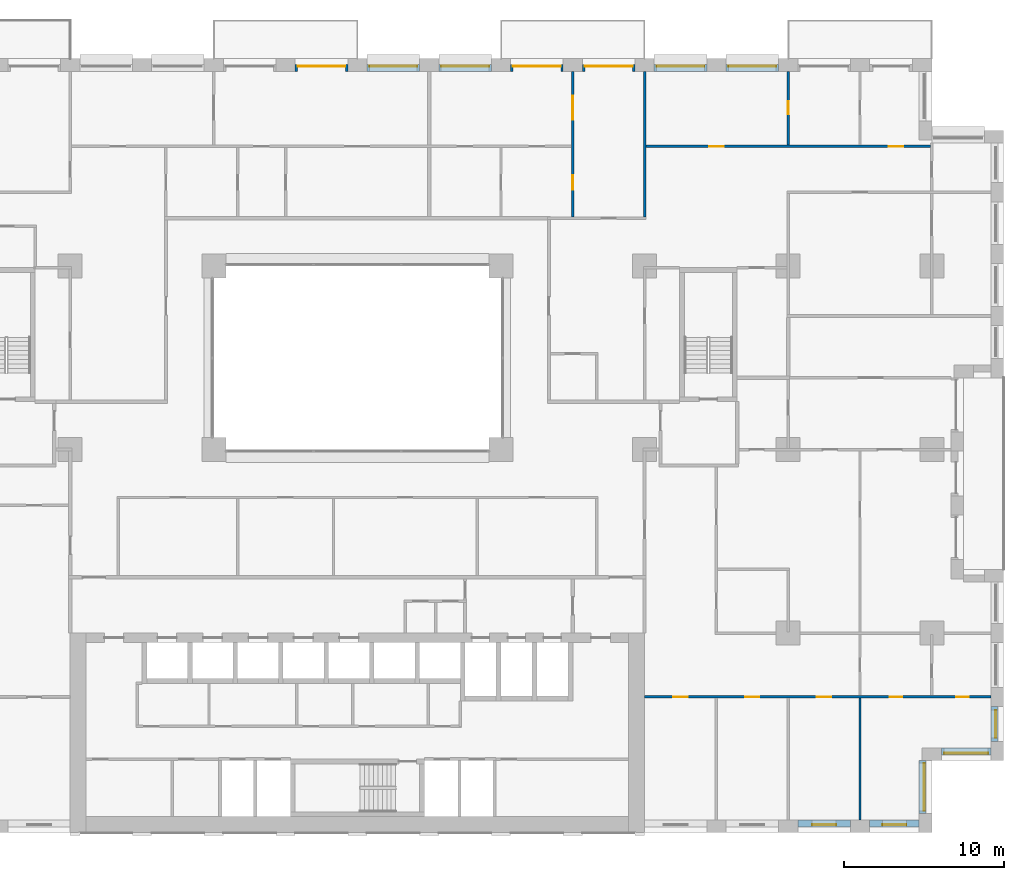
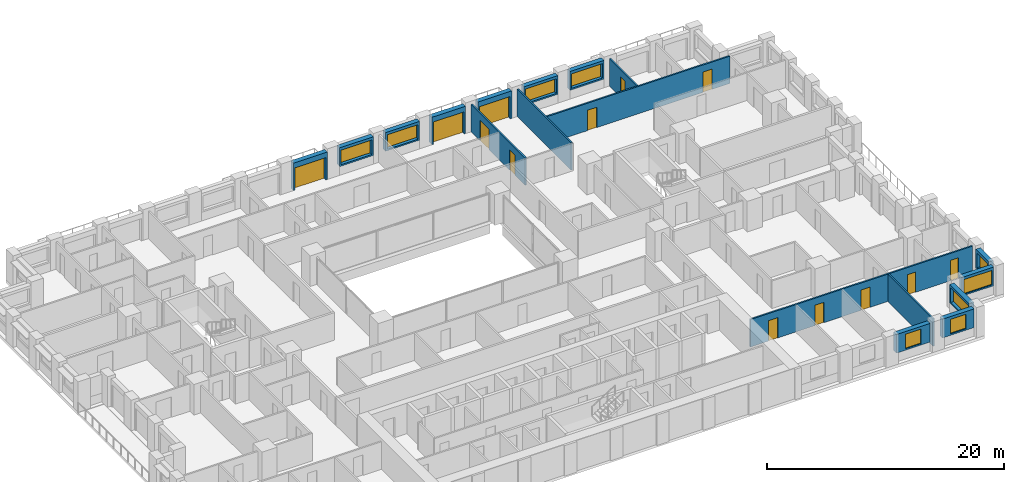
# One storey, part 15 of 19: 18 walls, 13 doors, 9 windows, 22 openings.
"""IFC4 building model written with IfcOpenShell, lengths in metres."""

from ifc_helpers import new_model, si_unit, direction, frame, frame_2d, origin, place, context, subcontext, project, spatial, rectangle, extrude, material, layer, layer_set, type_object, element, fill, save


model = new_model("IFC4")

# Units and contexts
model_context = context("Model", 3, precision=1e-05, world=origin(), true_north=direction((0.0, 1.0)))
body_context = subcontext(model_context, "Body", "Model", "MODEL_VIEW")
ifc_project = project(units=[si_unit("LENGTHUNIT", "METRE"), si_unit("AREAUNIT", "SQUARE_METRE"), si_unit("VOLUMEUNIT", "CUBIC_METRE"), si_unit("PLANEANGLEUNIT", "RADIAN"), si_unit("MASSUNIT", "GRAM", prefix="KILO")], contexts=[model_context])

# Site, building, storey
site_placement = place(None, origin())
site = spatial("IfcSite", under=ifc_project, at=site_placement, CompositionType="ELEMENT")
building_placement = place(site_placement, origin())
building = spatial("IfcBuilding", under=site, at=building_placement, Name="Brigalow Station Residences", CompositionType="ELEMENT")
storey_placement = place(building_placement, frame((0.0, 0.0, 35.25)))
storey = spatial("IfcBuildingStorey", under=building, at=storey_placement, Name="L09", CompositionType="ELEMENT", Elevation=35.25)

# Wall, opening, window
ifc_material_1 = material(Name="Clay brick masonry", Category="masonry")
ifc_layer_1 = layer(ifc_material_1, 0.449951171875)
ifc_layer_set_1 = layer_set([ifc_layer_1], Name="BRICK INFILL WALL 450")
wall_type_1 = type_object("IfcWallType", Name="BRICK INFILL WALL 450", PredefinedType="SOLIDWALL", material=ifc_layer_set_1)
wall_1_placement = place(storey_placement, frame((63.60009765625, 0.574951171875, 0.89990234375), z_axis=(0.0, 0.0, 1.0), x_axis=(1.0, 0.0, 0.0)))
wall_1 = element("IfcWall", 1, at=wall_1_placement, inside=storey, type_object=wall_type_1, Name="L09/ewall/W-L09-7", PredefinedType="SOLIDWALL", context=body_context, shape_type="SweptSolid", body=[
    extrude(rectangle(XDim=3.2998046875, YDim=0.449951171875, at=frame_2d((1.64990234375, 0.0))), origin(), (0.0, 0.0, 1.0), 1.93017578125),
])
opening_1_placement = place(wall_1_placement, frame((0.89990234375, 0.0, 0.14990234375)))
opening_1 = element("IfcOpeningElement", 2, at=opening_1_placement, cuts=wall_1, Name="Opening WT-1", PredefinedType="OPENING", context=body_context, shape_type="SweptSolid", body=[
    extrude(rectangle(XDim=1.5, YDim=1.5, at=frame_2d((0.75, 0.75))), frame((0.0, 0.23486328125, 0.0), z_axis=(0.0, -1.0, 0.0), x_axis=(1.0, 0.0, 0.0)), (0.0, 0.0, 1.0), 0.469970703125),
])
ifc_material_2 = material(Name="Anodised aluminium frame with double glazing", Category="aluminium")
window_type_1 = type_object("IfcWindowType", Name="WINDOW 1500x1500", PartitioningType="SINGLE_PANEL", PredefinedType="WINDOW", material=ifc_material_2)
window_1_placement = place(opening_1_placement, origin())
window_1 = element("IfcWindow", 3, at=window_1_placement, inside=storey, type_object=window_type_1, Name="L09/window/W-L09-7", OverallHeight=1.5, OverallWidth=1.5, PartitioningType="SINGLE_PANEL", PredefinedType="WINDOW", context=body_context, shape_type="SweptSolid", body=[
    extrude(rectangle(XDim=1.5, YDim=1.5, at=frame_2d((0.75, 0.75))), frame((0.0, -0.06494140625, 0.0), z_axis=(0.0, -1.0, 0.0), x_axis=(1.0, 0.0, 0.0)), (0.0, 0.0, 1.0), 0.06005859375),
])
fill(opening_1, window_1)

wall_2_placement = place(storey_placement, frame((68.10009765625, 0.574951171875, 0.89990234375), z_axis=(0.0, 0.0, 1.0), x_axis=(1.0, 0.0, 0.0)))
wall_2 = element("IfcWall", 4, at=wall_2_placement, inside=storey, type_object=wall_type_1, Name="L09/ewall/W-L09-8", PredefinedType="SOLIDWALL", context=body_context, shape_type="SweptSolid", body=[
    extrude(rectangle(XDim=3.099853515625, YDim=0.449951171875, at=frame_2d((1.5498046875, 0.0))), origin(), (0.0, 0.0, 1.0), 1.93017578125),
])
opening_2_placement = place(wall_2_placement, frame((0.800048828125, 0.0, 0.14990234375)))
opening_2 = element("IfcOpeningElement", 5, at=opening_2_placement, cuts=wall_2, Name="Opening WT-1", PredefinedType="OPENING", context=body_context, shape_type="SweptSolid", body=[
    extrude(rectangle(XDim=1.5, YDim=1.5, at=frame_2d((0.75, 0.75))), frame((0.0, 0.23486328125, 0.0), z_axis=(0.0, -1.0, 0.0), x_axis=(1.0, 0.0, 0.0)), (0.0, 0.0, 1.0), 0.469970703125),
])
window_2_placement = place(opening_2_placement, origin())
window_2 = element("IfcWindow", 6, at=window_2_placement, inside=storey, type_object=window_type_1, Name="L09/window/W-L09-8", OverallHeight=1.5, OverallWidth=1.5, PartitioningType="SINGLE_PANEL", PredefinedType="WINDOW", context=body_context, shape_type="SweptSolid", body=[
    extrude(rectangle(XDim=1.5, YDim=1.5, at=frame_2d((0.75, 0.75))), frame((0.0, -0.06494140625, 0.0), z_axis=(0.0, -1.0, 0.0), x_axis=(1.0, 0.0, 0.0)), (0.0, 0.0, 1.0), 0.06005859375),
])
fill(opening_2, window_2)

wall_3_placement = place(storey_placement, frame((71.425048828125, 1.199951171875, 0.89990234375), z_axis=(0.0, 0.0, 1.0), x_axis=(0.0, 1.0, 0.0)))
wall_3 = element("IfcWall", 7, at=wall_3_placement, inside=storey, type_object=wall_type_1, Name="L09/ewall/W-L09-9", PredefinedType="SOLIDWALL", context=body_context, shape_type="SweptSolid", body=[
    extrude(rectangle(XDim=3.300048828125, YDim=0.449951171875, at=frame_2d((1.64990234375, 0.0))), origin(), (0.0, 0.0, 1.0), 1.93017578125),
])
opening_3_placement = place(wall_3_placement, frame((0.14990234375, 0.0, 0.14990234375)))
opening_3 = element("IfcOpeningElement", 8, at=opening_3_placement, cuts=wall_3, Name="Opening WT-2", PredefinedType="OPENING", context=body_context, shape_type="SweptSolid", body=[
    extrude(rectangle(XDim=3.0, YDim=1.5, at=frame_2d((1.5, 0.75))), frame((0.0, 0.23486328125, 0.0), z_axis=(0.0, -1.0, 0.0), x_axis=(1.0, 0.0, 0.0)), (0.0, 0.0, 1.0), 0.469970703125),
])
ifc_material_3 = material(Name="Anodised aluminium frame with double glazing", Category="aluminium")
window_type_2 = type_object("IfcWindowType", Name="WINDOW 3000x1500", PartitioningType="SINGLE_PANEL", PredefinedType="WINDOW", material=ifc_material_3)
window_3_placement = place(opening_3_placement, origin())
window_3 = element("IfcWindow", 9, at=window_3_placement, inside=storey, type_object=window_type_2, Name="L09/window/W-L09-9", OverallHeight=1.5, OverallWidth=3.0, PartitioningType="SINGLE_PANEL", PredefinedType="WINDOW", context=body_context, shape_type="SweptSolid", body=[
    extrude(rectangle(XDim=3.0, YDim=1.5, at=frame_2d((1.5, 0.75))), frame((0.0, -0.06494140625, 0.0), z_axis=(0.0, -1.0, 0.0), x_axis=(1.0, 0.0, 0.0)), (0.0, 0.0, 1.0), 0.06005859375),
])
fill(opening_3, window_3)

wall_4_placement = place(storey_placement, frame((72.60009765625, 5.074951171875, 0.89990234375), z_axis=(0.0, 0.0, 1.0), x_axis=(1.0, 0.0, 0.0)))
wall_4 = element("IfcWall", 10, at=wall_4_placement, inside=storey, type_object=wall_type_1, Name="L09/ewall/W-L09-10", PredefinedType="SOLIDWALL", context=body_context, shape_type="SweptSolid", body=[
    extrude(rectangle(XDim=3.099853515625, YDim=0.449951171875, at=frame_2d((1.5498046875, 0.0))), origin(), (0.0, 0.0, 1.0), 1.93017578125),
])
opening_4_placement = place(wall_4_placement, frame((0.175048828125, 0.0, 0.14990234375)))
opening_4 = element("IfcOpeningElement", 11, at=opening_4_placement, cuts=wall_4, Name="Opening WT-3", PredefinedType="OPENING", context=body_context, shape_type="SweptSolid", body=[
    extrude(rectangle(XDim=2.75, YDim=1.5, at=frame_2d((1.375, 0.75))), frame((0.0, 0.23486328125, 0.0), z_axis=(0.0, -1.0, 0.0), x_axis=(1.0, 0.0, 0.0)), (0.0, 0.0, 1.0), 0.469970703125),
])
ifc_material_4 = material(Name="Anodised aluminium frame with double glazing", Category="aluminium")
window_type_3 = type_object("IfcWindowType", Name="WINDOW 2750x1500", PartitioningType="SINGLE_PANEL", PredefinedType="WINDOW", material=ifc_material_4)
window_4_placement = place(opening_4_placement, origin())
window_4 = element("IfcWindow", 12, at=window_4_placement, inside=storey, type_object=window_type_3, Name="L09/window/W-L09-10", OverallHeight=1.5, OverallWidth=2.75, PartitioningType="SINGLE_PANEL", PredefinedType="WINDOW", context=body_context, shape_type="SweptSolid", body=[
    extrude(rectangle(XDim=2.75, YDim=1.5, at=frame_2d((1.375, 0.75))), frame((0.0, -0.06494140625, 0.0), z_axis=(0.0, -1.0, 0.0), x_axis=(1.0, 0.0, 0.0)), (0.0, 0.0, 1.0), 0.06005859375),
])
fill(opening_4, window_4)

wall_5_placement = place(storey_placement, frame((75.925048828125, 5.699951171875, 0.89990234375), z_axis=(0.0, 0.0, 1.0), x_axis=(0.0, 1.0, 0.0)))
wall_5 = element("IfcWall", 13, at=wall_5_placement, inside=storey, type_object=wall_type_1, Name="L09/ewall/W-L09-11", PredefinedType="SOLIDWALL", context=body_context, shape_type="SweptSolid", body=[
    extrude(rectangle(XDim=2.199951171875, YDim=0.449951171875, at=frame_2d((1.10009765625, 0.0))), origin(), (0.0, 0.0, 1.0), 1.93017578125),
])
opening_5_placement = place(wall_5_placement, frame((0.22509765625, 0.0, 0.14990234375)))
opening_5 = element("IfcOpeningElement", 14, at=opening_5_placement, cuts=wall_5, Name="Opening WT-4", PredefinedType="OPENING", context=body_context, shape_type="SweptSolid", body=[
    extrude(rectangle(XDim=1.75, YDim=1.5, at=frame_2d((0.875, 0.75))), frame((0.0, 0.23486328125, 0.0), z_axis=(0.0, -1.0, 0.0), x_axis=(1.0, 0.0, 0.0)), (0.0, 0.0, 1.0), 0.469970703125),
])
ifc_material_5 = material(Name="Anodised aluminium frame with double glazing", Category="aluminium")
window_type_4 = type_object("IfcWindowType", Name="WINDOW 1750x1500", PartitioningType="SINGLE_PANEL", PredefinedType="WINDOW", material=ifc_material_5)
window_5_placement = place(opening_5_placement, origin())
window_5 = element("IfcWindow", 15, at=window_5_placement, inside=storey, type_object=window_type_4, Name="L09/window/W-L09-11", OverallHeight=1.5, OverallWidth=1.75, PartitioningType="SINGLE_PANEL", PredefinedType="WINDOW", context=body_context, shape_type="SweptSolid", body=[
    extrude(rectangle(XDim=1.75, YDim=1.5, at=frame_2d((0.875, 0.75))), frame((0.0, -0.06494140625, 0.0), z_axis=(0.0, -1.0, 0.0), x_axis=(1.0, 0.0, 0.0)), (0.0, 0.0, 1.0), 0.06005859375),
])
fill(opening_5, window_5)

wall_6_placement = place(storey_placement, frame((62.39990234375, 47.925048828125, 0.89990234375), z_axis=(0.0, 0.0, 1.0), x_axis=(-1.0, 0.0, 0.0)))
wall_6 = element("IfcWall", 16, at=wall_6_placement, inside=storey, type_object=wall_type_1, Name="L09/ewall/W-L09-27", PredefinedType="SOLIDWALL", context=body_context, shape_type="SweptSolid", body=[
    extrude(rectangle(XDim=3.2998046875, YDim=0.449951171875, at=frame_2d((1.64990234375, 0.0))), origin(), (0.0, 0.0, 1.0), 1.93017578125),
])
opening_6_placement = place(wall_6_placement, frame((0.14990234375, 0.0, 0.14990234375)))
opening_6 = element("IfcOpeningElement", 17, at=opening_6_placement, cuts=wall_6, Name="Opening WT-2", PredefinedType="OPENING", context=body_context, shape_type="SweptSolid", body=[
    extrude(rectangle(XDim=3.0, YDim=1.5, at=frame_2d((1.5, 0.75))), frame((0.0, 0.23486328125, 0.0), z_axis=(0.0, -1.0, 0.0), x_axis=(1.0, 0.0, 0.0)), (0.0, 0.0, 1.0), 0.469970703125),
])
window_6_placement = place(opening_6_placement, origin())
window_6 = element("IfcWindow", 18, at=window_6_placement, inside=storey, type_object=window_type_2, Name="L09/window/W-L09-27", OverallHeight=1.5, OverallWidth=3.0, PartitioningType="SINGLE_PANEL", PredefinedType="WINDOW", context=body_context, shape_type="SweptSolid", body=[
    extrude(rectangle(XDim=3.0, YDim=1.5, at=frame_2d((1.5, 0.75))), frame((0.0, -0.06494140625, 0.0), z_axis=(0.0, -1.0, 0.0), x_axis=(1.0, 0.0, 0.0)), (0.0, 0.0, 1.0), 0.06005859375),
])
fill(opening_6, window_6)

wall_7_placement = place(storey_placement, frame((57.89990234375, 47.925048828125, 0.89990234375), z_axis=(0.0, 0.0, 1.0), x_axis=(-1.0, 0.0, 0.0)))
wall_7 = element("IfcWall", 19, at=wall_7_placement, inside=storey, type_object=wall_type_1, Name="L09/ewall/W-L09-28", PredefinedType="SOLIDWALL", context=body_context, shape_type="SweptSolid", body=[
    extrude(rectangle(XDim=3.2998046875, YDim=0.449951171875, at=frame_2d((1.64990234375, 0.0))), origin(), (0.0, 0.0, 1.0), 1.93017578125),
])
opening_7_placement = place(wall_7_placement, frame((0.14990234375, 0.0, 0.14990234375)))
opening_7 = element("IfcOpeningElement", 20, at=opening_7_placement, cuts=wall_7, Name="Opening WT-2", PredefinedType="OPENING", context=body_context, shape_type="SweptSolid", body=[
    extrude(rectangle(XDim=3.0, YDim=1.5, at=frame_2d((1.5, 0.75))), frame((0.0, 0.23486328125, 0.0), z_axis=(0.0, -1.0, 0.0), x_axis=(1.0, 0.0, 0.0)), (0.0, 0.0, 1.0), 0.469970703125),
])
window_7_placement = place(opening_7_placement, origin())
window_7 = element("IfcWindow", 21, at=window_7_placement, inside=storey, type_object=window_type_2, Name="L09/window/W-L09-28", OverallHeight=1.5, OverallWidth=3.0, PartitioningType="SINGLE_PANEL", PredefinedType="WINDOW", context=body_context, shape_type="SweptSolid", body=[
    extrude(rectangle(XDim=3.0, YDim=1.5, at=frame_2d((1.5, 0.75))), frame((0.0, -0.06494140625, 0.0), z_axis=(0.0, -1.0, 0.0), x_axis=(1.0, 0.0, 0.0)), (0.0, 0.0, 1.0), 0.06005859375),
])
fill(opening_7, window_7)

# Wall, opening, door
wall_8_placement = place(storey_placement, frame((53.39990234375, 47.925048828125, 0.0), z_axis=(0.0, 0.0, 1.0), x_axis=(-1.0, 0.0, 0.0)))
wall_8 = element("IfcWall", 22, at=wall_8_placement, inside=storey, type_object=wall_type_1, Name="L09/ewall/W-L09-29", PredefinedType="SOLIDWALL", context=body_context, shape_type="SweptSolid", body=[
    extrude(rectangle(XDim=3.2998046875, YDim=0.449951171875, at=frame_2d((1.64990234375, 0.0))), origin(), (0.0, 0.0, 1.0), 2.830078125),
])
opening_8_placement = place(wall_8_placement, frame((0.14990234375, 0.0, 0.0)))
opening_8 = element("IfcOpeningElement", 23, at=opening_8_placement, cuts=wall_8, Name="Opening D-B3000", PredefinedType="OPENING", context=body_context, shape_type="SweptSolid", body=[
    extrude(rectangle(XDim=3.0, YDim=2.300048828125, at=frame_2d((1.5, 1.14990234375))), frame((0.0, 0.23486328125, 0.0), z_axis=(0.0, -1.0, 0.0), x_axis=(1.0, 0.0, 0.0)), (0.0, 0.0, 1.0), 0.469970703125),
])
ifc_material_6 = material(Name="Anodised aluminium frame with double glazing", Category="aluminium")
door_type_1 = type_object("IfcDoorType", Name="BALCONY SLIDING DOOR 3000x2300", OperationType="SLIDING_TO_LEFT", PredefinedType="DOOR", material=ifc_material_6)
door_1_placement = place(opening_8_placement, origin())
door_1 = element("IfcDoor", 24, at=door_1_placement, inside=storey, type_object=door_type_1, Name="L09/balcony-door/W-L09-29", OperationType="SLIDING_TO_LEFT", OverallHeight=2.300048828125, OverallWidth=3.0, PredefinedType="DOOR", context=body_context, shape_type="SweptSolid", body=[
    extrude(rectangle(XDim=3.0, YDim=2.300048828125, at=frame_2d((1.5, 1.14990234375))), frame((0.0, -0.06982421875, 0.0), z_axis=(0.0, -1.0, 0.0), x_axis=(1.0, 0.0, 0.0)), (0.0, 0.0, 1.0), 0.050048828125),
])
fill(opening_8, door_1)

wall_9_placement = place(storey_placement, frame((48.89990234375, 47.925048828125, 0.0), z_axis=(0.0, 0.0, 1.0), x_axis=(-1.0, 0.0, 0.0)))
wall_9 = element("IfcWall", 25, at=wall_9_placement, inside=storey, type_object=wall_type_1, Name="L09/ewall/W-L09-30", PredefinedType="SOLIDWALL", context=body_context, shape_type="SweptSolid", body=[
    extrude(rectangle(XDim=3.2998046875, YDim=0.449951171875, at=frame_2d((1.64990234375, 0.0))), origin(), (0.0, 0.0, 1.0), 2.830078125),
])
opening_9_placement = place(wall_9_placement, frame((0.14990234375, 0.0, 0.0)))
opening_9 = element("IfcOpeningElement", 26, at=opening_9_placement, cuts=wall_9, Name="Opening D-B3000", PredefinedType="OPENING", context=body_context, shape_type="SweptSolid", body=[
    extrude(rectangle(XDim=3.0, YDim=2.300048828125, at=frame_2d((1.5, 1.14990234375))), frame((0.0, 0.23486328125, 0.0), z_axis=(0.0, -1.0, 0.0), x_axis=(1.0, 0.0, 0.0)), (0.0, 0.0, 1.0), 0.469970703125),
])
door_2_placement = place(opening_9_placement, origin())
door_2 = element("IfcDoor", 27, at=door_2_placement, inside=storey, type_object=door_type_1, Name="L09/balcony-door/W-L09-30", OperationType="SLIDING_TO_LEFT", OverallHeight=2.300048828125, OverallWidth=3.0, PredefinedType="DOOR", context=body_context, shape_type="SweptSolid", body=[
    extrude(rectangle(XDim=3.0, YDim=2.300048828125, at=frame_2d((1.5, 1.14990234375))), frame((0.0, -0.06982421875, 0.0), z_axis=(0.0, -1.0, 0.0), x_axis=(1.0, 0.0, 0.0)), (0.0, 0.0, 1.0), 0.050048828125),
])
fill(opening_9, door_2)

# Wall, opening, window
wall_10_placement = place(storey_placement, frame((44.39990234375, 47.925048828125, 0.89990234375), z_axis=(0.0, 0.0, 1.0), x_axis=(-1.0, 0.0, 0.0)))
wall_10 = element("IfcWall", 28, at=wall_10_placement, inside=storey, type_object=wall_type_1, Name="L09/ewall/W-L09-31", PredefinedType="SOLIDWALL", context=body_context, shape_type="SweptSolid", body=[
    extrude(rectangle(XDim=3.2998046875, YDim=0.449951171875, at=frame_2d((1.64990234375, 0.0))), origin(), (0.0, 0.0, 1.0), 1.93017578125),
])
opening_10_placement = place(wall_10_placement, frame((0.14990234375, 0.0, 0.14990234375)))
opening_10 = element("IfcOpeningElement", 29, at=opening_10_placement, cuts=wall_10, Name="Opening WT-2", PredefinedType="OPENING", context=body_context, shape_type="SweptSolid", body=[
    extrude(rectangle(XDim=3.0, YDim=1.5, at=frame_2d((1.5, 0.75))), frame((0.0, 0.23486328125, 0.0), z_axis=(0.0, -1.0, 0.0), x_axis=(1.0, 0.0, 0.0)), (0.0, 0.0, 1.0), 0.469970703125),
])
window_8_placement = place(opening_10_placement, origin())
window_8 = element("IfcWindow", 30, at=window_8_placement, inside=storey, type_object=window_type_2, Name="L09/window/W-L09-31", OverallHeight=1.5, OverallWidth=3.0, PartitioningType="SINGLE_PANEL", PredefinedType="WINDOW", context=body_context, shape_type="SweptSolid", body=[
    extrude(rectangle(XDim=3.0, YDim=1.5, at=frame_2d((1.5, 0.75))), frame((0.0, -0.06494140625, 0.0), z_axis=(0.0, -1.0, 0.0), x_axis=(1.0, 0.0, 0.0)), (0.0, 0.0, 1.0), 0.06005859375),
])
fill(opening_10, window_8)

wall_11_placement = place(storey_placement, frame((39.89990234375, 47.925048828125, 0.89990234375), z_axis=(0.0, 0.0, 1.0), x_axis=(-1.0, 0.0, 0.0)))
wall_11 = element("IfcWall", 31, at=wall_11_placement, inside=storey, type_object=wall_type_1, Name="L09/ewall/W-L09-32", PredefinedType="SOLIDWALL", context=body_context, shape_type="SweptSolid", body=[
    extrude(rectangle(XDim=3.2998046875, YDim=0.449951171875, at=frame_2d((1.64990234375, 0.0))), origin(), (0.0, 0.0, 1.0), 1.93017578125),
])
opening_11_placement = place(wall_11_placement, frame((0.14990234375, 0.0, 0.14990234375)))
opening_11 = element("IfcOpeningElement", 32, at=opening_11_placement, cuts=wall_11, Name="Opening WT-2", PredefinedType="OPENING", context=body_context, shape_type="SweptSolid", body=[
    extrude(rectangle(XDim=3.0, YDim=1.5, at=frame_2d((1.5, 0.75))), frame((0.0, 0.23486328125, 0.0), z_axis=(0.0, -1.0, 0.0), x_axis=(1.0, 0.0, 0.0)), (0.0, 0.0, 1.0), 0.469970703125),
])
window_9_placement = place(opening_11_placement, origin())
window_9 = element("IfcWindow", 33, at=window_9_placement, inside=storey, type_object=window_type_2, Name="L09/window/W-L09-32", OverallHeight=1.5, OverallWidth=3.0, PartitioningType="SINGLE_PANEL", PredefinedType="WINDOW", context=body_context, shape_type="SweptSolid", body=[
    extrude(rectangle(XDim=3.0, YDim=1.5, at=frame_2d((1.5, 0.75))), frame((0.0, -0.06494140625, 0.0), z_axis=(0.0, -1.0, 0.0), x_axis=(1.0, 0.0, 0.0)), (0.0, 0.0, 1.0), 0.06005859375),
])
fill(opening_11, window_9)

# Wall, opening, door
wall_12_placement = place(storey_placement, frame((35.39990234375, 47.925048828125, 0.0), z_axis=(0.0, 0.0, 1.0), x_axis=(-1.0, 0.0, 0.0)))
wall_12 = element("IfcWall", 34, at=wall_12_placement, inside=storey, type_object=wall_type_1, Name="L09/ewall/W-L09-33", PredefinedType="SOLIDWALL", context=body_context, shape_type="SweptSolid", body=[
    extrude(rectangle(XDim=3.2998046875, YDim=0.449951171875, at=frame_2d((1.64990234375, 0.0))), origin(), (0.0, 0.0, 1.0), 2.830078125),
])
opening_12_placement = place(wall_12_placement, frame((0.14990234375, 0.0, 0.0)))
opening_12 = element("IfcOpeningElement", 35, at=opening_12_placement, cuts=wall_12, Name="Opening D-B3000", PredefinedType="OPENING", context=body_context, shape_type="SweptSolid", body=[
    extrude(rectangle(XDim=3.0, YDim=2.300048828125, at=frame_2d((1.5, 1.14990234375))), frame((0.0, 0.23486328125, 0.0), z_axis=(0.0, -1.0, 0.0), x_axis=(1.0, 0.0, 0.0)), (0.0, 0.0, 1.0), 0.469970703125),
])
door_3_placement = place(opening_12_placement, origin())
door_3 = element("IfcDoor", 36, at=door_3_placement, inside=storey, type_object=door_type_1, Name="L09/balcony-door/W-L09-33", OperationType="SLIDING_TO_LEFT", OverallHeight=2.300048828125, OverallWidth=3.0, PredefinedType="DOOR", context=body_context, shape_type="SweptSolid", body=[
    extrude(rectangle(XDim=3.0, YDim=2.300048828125, at=frame_2d((1.5, 1.14990234375))), frame((0.0, -0.06982421875, 0.0), z_axis=(0.0, -1.0, 0.0), x_axis=(1.0, 0.0, 0.0)), (0.0, 0.0, 1.0), 0.050048828125),
])
fill(opening_12, door_3)

# Wall, openings, doors
ifc_material_7 = material(Name="Plasterboard on steel stud partition", Category="steel")
ifc_layer_2 = layer(ifc_material_7, 0.14990234375)
ifc_layer_set_2 = layer_set([ifc_layer_2], Name="FLAT PARTITION 150")
wall_type_2 = type_object("IfcWallType", Name="FLAT PARTITION 150", PredefinedType="PARTITIONING", material=ifc_layer_set_2)
wall_13_placement = place(storey_placement, frame((54.0, 8.5, 0.0), z_axis=(0.0, 0.0, 1.0), x_axis=(1.0, 0.0, 0.0)))
wall_13 = element("IfcWall", 37, at=wall_13_placement, inside=storey, type_object=wall_type_2, Name="PW-1B13", PredefinedType="PARTITIONING", context=body_context, shape_type="SweptSolid", body=[
    extrude(rectangle(XDim=21.699951171875, YDim=0.14990234375, at=frame_2d((10.85009765625, 0.0))), origin(), (0.0, 0.0, 1.0), 2.830078125),
])
opening_13_placement = place(wall_13_placement, frame((1.800048828125, 0.0, 0.0)))
opening_13 = element("IfcOpeningElement", 38, at=opening_13_placement, cuts=wall_13, Name="Opening D-1B55", PredefinedType="OPENING", context=body_context, shape_type="SweptSolid", body=[
    extrude(rectangle(XDim=0.89990234375, YDim=2.10009765625, at=frame_2d((0.449951171875, 1.050048828125))), frame((0.0, 0.0849609375, 0.0), z_axis=(0.0, -1.0, 0.0), x_axis=(1.0, 0.0, 0.0)), (0.0, 0.0, 1.0), 0.169921875),
])
opening_14_placement = place(wall_13_placement, frame((6.300048828125, 0.0, 0.0)))
opening_14 = element("IfcOpeningElement", 39, at=opening_14_placement, cuts=wall_13, Name="Opening D-1B56", PredefinedType="OPENING", context=body_context, shape_type="SweptSolid", body=[
    extrude(rectangle(XDim=0.89990234375, YDim=2.10009765625, at=frame_2d((0.449951171875, 1.050048828125))), frame((0.0, 0.0849609375, 0.0), z_axis=(0.0, -1.0, 0.0), x_axis=(1.0, 0.0, 0.0)), (0.0, 0.0, 1.0), 0.169921875),
])
opening_15_placement = place(wall_13_placement, frame((10.800048828125, 0.0, 0.0)))
opening_15 = element("IfcOpeningElement", 40, at=opening_15_placement, cuts=wall_13, Name="Opening D-1B57", PredefinedType="OPENING", context=body_context, shape_type="SweptSolid", body=[
    extrude(rectangle(XDim=0.89990234375, YDim=2.10009765625, at=frame_2d((0.449951171875, 1.050048828125))), frame((0.0, 0.0849609375, 0.0), z_axis=(0.0, -1.0, 0.0), x_axis=(1.0, 0.0, 0.0)), (0.0, 0.0, 1.0), 0.169921875),
])
opening_16_placement = place(wall_13_placement, frame((19.52490234375, 0.0, 0.0)))
opening_16 = element("IfcOpeningElement", 41, at=opening_16_placement, cuts=wall_13, Name="Opening D-1B62", PredefinedType="OPENING", context=body_context, shape_type="SweptSolid", body=[
    extrude(rectangle(XDim=0.800048828125, YDim=2.10009765625, at=frame_2d((0.39990234375, 1.050048828125))), frame((0.0, 0.0849609375, 0.0), z_axis=(0.0, -1.0, 0.0), x_axis=(1.0, 0.0, 0.0)), (0.0, 0.0, 1.0), 0.169921875),
])
opening_17_placement = place(wall_13_placement, frame((15.35009765625, 0.0, 0.0)))
opening_17 = element("IfcOpeningElement", 42, at=opening_17_placement, cuts=wall_13, Name="Opening D-1B68", PredefinedType="OPENING", context=body_context, shape_type="SweptSolid", body=[
    extrude(rectangle(XDim=0.800048828125, YDim=2.10009765625, at=frame_2d((0.39990234375, 1.050048828125))), frame((0.0, 0.0849609375, 0.0), z_axis=(0.0, -1.0, 0.0), x_axis=(1.0, 0.0, 0.0)), (0.0, 0.0, 1.0), 0.169921875),
])
ifc_material_8 = material(Name="Solid-core timber door leaf", Category="wood")
door_type_2 = type_object("IfcDoorType", Name="INTERNAL DOOR 800 x 2100", OperationType="SINGLE_SWING_LEFT", PredefinedType="DOOR", material=ifc_material_8)
door_4_placement = place(opening_16_placement, origin())
door_4 = element("IfcDoor", 43, at=door_4_placement, inside=storey, type_object=door_type_2, Name="D-1B62", OperationType="SINGLE_SWING_RIGHT", OverallHeight=2.10009765625, OverallWidth=0.800048828125, PredefinedType="DOOR", context=body_context, shape_type="SweptSolid", body=[
    extrude(rectangle(XDim=0.800048828125, YDim=2.10009765625, at=frame_2d((0.39990234375, 1.050048828125))), frame((0.0, 0.02490234375, 0.0), z_axis=(0.0, -1.0, 0.0), x_axis=(1.0, 0.0, 0.0)), (0.0, 0.0, 1.0), 0.050048828125),
])
fill(opening_16, door_4)
door_5_placement = place(opening_17_placement, origin())
door_5 = element("IfcDoor", 44, at=door_5_placement, inside=storey, type_object=door_type_2, Name="D-1B68", OperationType="SINGLE_SWING_RIGHT", OverallHeight=2.10009765625, OverallWidth=0.800048828125, PredefinedType="DOOR", context=body_context, shape_type="SweptSolid", body=[
    extrude(rectangle(XDim=0.800048828125, YDim=2.10009765625, at=frame_2d((0.39990234375, 1.050048828125))), frame((0.0, 0.02490234375, 0.0), z_axis=(0.0, -1.0, 0.0), x_axis=(1.0, 0.0, 0.0)), (0.0, 0.0, 1.0), 0.050048828125),
])
fill(opening_17, door_5)
ifc_material_9 = material(Name="Solid-core timber door leaf", Category="wood")
door_type_3 = type_object("IfcDoorType", Name="INTERNAL DOOR 900 x 2100", OperationType="SINGLE_SWING_LEFT", PredefinedType="DOOR", material=ifc_material_9)
door_6_placement = place(opening_13_placement, frame((0.89990234375, 0.0, 0.0), z_axis=(0.0, 0.0, 1.0), x_axis=(-1.0, 0.0, 0.0)))
door_6 = element("IfcDoor", 45, at=door_6_placement, inside=storey, type_object=door_type_3, Name="D-1B55", OperationType="SINGLE_SWING_LEFT", OverallHeight=2.10009765625, OverallWidth=0.89990234375, PredefinedType="DOOR", context=body_context, shape_type="SweptSolid", body=[
    extrude(rectangle(XDim=0.89990234375, YDim=2.10009765625, at=frame_2d((0.449951171875, 1.050048828125))), frame((0.0, 0.02490234375, 0.0), z_axis=(0.0, -1.0, 0.0), x_axis=(1.0, 0.0, 0.0)), (0.0, 0.0, 1.0), 0.050048828125),
])
fill(opening_13, door_6)
door_7_placement = place(opening_14_placement, frame((0.89990234375, 0.0, 0.0), z_axis=(0.0, 0.0, 1.0), x_axis=(-1.0, 0.0, 0.0)))
door_7 = element("IfcDoor", 46, at=door_7_placement, inside=storey, type_object=door_type_3, Name="D-1B56", OperationType="SINGLE_SWING_LEFT", OverallHeight=2.10009765625, OverallWidth=0.89990234375, PredefinedType="DOOR", context=body_context, shape_type="SweptSolid", body=[
    extrude(rectangle(XDim=0.89990234375, YDim=2.10009765625, at=frame_2d((0.449951171875, 1.050048828125))), frame((0.0, 0.02490234375, 0.0), z_axis=(0.0, -1.0, 0.0), x_axis=(1.0, 0.0, 0.0)), (0.0, 0.0, 1.0), 0.050048828125),
])
fill(opening_14, door_7)
door_8_placement = place(opening_15_placement, frame((0.89990234375, 0.0, 0.0), z_axis=(0.0, 0.0, 1.0), x_axis=(-1.0, 0.0, 0.0)))
door_8 = element("IfcDoor", 47, at=door_8_placement, inside=storey, type_object=door_type_3, Name="D-1B57", OperationType="SINGLE_SWING_RIGHT", OverallHeight=2.10009765625, OverallWidth=0.89990234375, PredefinedType="DOOR", context=body_context, shape_type="SweptSolid", body=[
    extrude(rectangle(XDim=0.89990234375, YDim=2.10009765625, at=frame_2d((0.449951171875, 1.050048828125))), frame((0.0, 0.02490234375, 0.0), z_axis=(0.0, -1.0, 0.0), x_axis=(1.0, 0.0, 0.0)), (0.0, 0.0, 1.0), 0.050048828125),
])
fill(opening_15, door_8)

wall_14_placement = place(storey_placement, frame((54.074951171875, 43.0, 0.0), z_axis=(0.0, 0.0, 1.0), x_axis=(1.0, 0.0, 0.0)))
wall_14 = element("IfcWall", 48, at=wall_14_placement, inside=storey, type_object=wall_type_2, Name="PW-1B24", PredefinedType="PARTITIONING", context=body_context, shape_type="SweptSolid", body=[
    extrude(rectangle(XDim=17.85009765625, YDim=0.14990234375, at=frame_2d((8.925048828125, 0.0))), origin(), (0.0, 0.0, 1.0), 2.830078125),
])
opening_18_placement = place(wall_14_placement, frame((15.22509765625, 0.0, 0.0)))
opening_18 = element("IfcOpeningElement", 49, at=opening_18_placement, cuts=wall_14, Name="Opening D-1B38", PredefinedType="OPENING", context=body_context, shape_type="SweptSolid", body=[
    extrude(rectangle(XDim=0.89990234375, YDim=2.10009765625, at=frame_2d((0.449951171875, 1.050048828125))), frame((0.0, 0.0849609375, 0.0), z_axis=(0.0, -1.0, 0.0), x_axis=(1.0, 0.0, 0.0)), (0.0, 0.0, 1.0), 0.169921875),
])
opening_19_placement = place(wall_14_placement, frame((3.97509765625, 0.0, 0.0)))
opening_19 = element("IfcOpeningElement", 50, at=opening_19_placement, cuts=wall_14, Name="Opening D-1B44", PredefinedType="OPENING", context=body_context, shape_type="SweptSolid", body=[
    extrude(rectangle(XDim=0.89990234375, YDim=2.10009765625, at=frame_2d((0.449951171875, 1.050048828125))), frame((0.0, 0.0849609375, 0.0), z_axis=(0.0, -1.0, 0.0), x_axis=(1.0, 0.0, 0.0)), (0.0, 0.0, 1.0), 0.169921875),
])
door_9_placement = place(opening_18_placement, origin())
door_9 = element("IfcDoor", 51, at=door_9_placement, inside=storey, type_object=door_type_3, Name="D-1B38", OperationType="SINGLE_SWING_RIGHT", OverallHeight=2.10009765625, OverallWidth=0.89990234375, PredefinedType="DOOR", context=body_context, shape_type="SweptSolid", body=[
    extrude(rectangle(XDim=0.89990234375, YDim=2.10009765625, at=frame_2d((0.449951171875, 1.050048828125))), frame((0.0, 0.02490234375, 0.0), z_axis=(0.0, -1.0, 0.0), x_axis=(1.0, 0.0, 0.0)), (0.0, 0.0, 1.0), 0.050048828125),
])
fill(opening_18, door_9)
door_10_placement = place(opening_19_placement, origin())
door_10 = element("IfcDoor", 52, at=door_10_placement, inside=storey, type_object=door_type_3, Name="D-1B44", OperationType="SINGLE_SWING_RIGHT", OverallHeight=2.10009765625, OverallWidth=0.89990234375, PredefinedType="DOOR", context=body_context, shape_type="SweptSolid", body=[
    extrude(rectangle(XDim=0.89990234375, YDim=2.10009765625, at=frame_2d((0.449951171875, 1.050048828125))), frame((0.0, 0.02490234375, 0.0), z_axis=(0.0, -1.0, 0.0), x_axis=(1.0, 0.0, 0.0)), (0.0, 0.0, 1.0), 0.050048828125),
])
fill(opening_19, door_10)

# Wall
wall_15_placement = place(storey_placement, frame((54.0, 38.574951171875, 0.0), z_axis=(0.0, 0.0, 1.0), x_axis=(0.0, 1.0, 0.0)))
element("IfcWall", 53, at=wall_15_placement, inside=storey, type_object=wall_type_2, Name="PW-1B41", PredefinedType="PARTITIONING", context=body_context, shape_type="SweptSolid", body=[
    extrude(rectangle(XDim=9.125, YDim=0.14990234375, at=frame_2d((4.5625, 0.0))), origin(), (0.0, 0.0, 1.0), 2.830078125),
])

# Wall, opening, door
wall_16_placement = place(storey_placement, frame((63.0, 43.074951171875, 0.0), z_axis=(0.0, 0.0, 1.0), x_axis=(0.0, 1.0, 0.0)))
wall_16 = element("IfcWall", 54, at=wall_16_placement, inside=storey, type_object=wall_type_2, Name="PW-1B72", PredefinedType="PARTITIONING", context=body_context, shape_type="SweptSolid", body=[
    extrude(rectangle(XDim=4.625, YDim=0.14990234375, at=frame_2d((2.3125, 0.0))), origin(), (0.0, 0.0, 1.0), 2.830078125),
])
opening_20_placement = place(wall_16_placement, frame((1.949951171875, 0.0, 0.0)))
opening_20 = element("IfcOpeningElement", 55, at=opening_20_placement, cuts=wall_16, Name="Opening D-1B42", PredefinedType="OPENING", context=body_context, shape_type="SweptSolid", body=[
    extrude(rectangle(XDim=0.800048828125, YDim=2.10009765625, at=frame_2d((0.39990234375, 1.050048828125))), frame((0.0, 0.0849609375, 0.0), z_axis=(0.0, -1.0, 0.0), x_axis=(1.0, 0.0, 0.0)), (0.0, 0.0, 1.0), 0.169921875),
])
door_11_placement = place(opening_20_placement, frame((0.800048828125, 0.0, 0.0), z_axis=(0.0, 0.0, 1.0), x_axis=(-1.0, 0.0, 0.0)))
door_11 = element("IfcDoor", 56, at=door_11_placement, inside=storey, type_object=door_type_2, Name="D-1B42", OperationType="SINGLE_SWING_LEFT", OverallHeight=2.10009765625, OverallWidth=0.800048828125, PredefinedType="DOOR", context=body_context, shape_type="SweptSolid", body=[
    extrude(rectangle(XDim=0.800048828125, YDim=2.10009765625, at=frame_2d((0.39990234375, 1.050048828125))), frame((0.0, 0.02490234375, 0.0), z_axis=(0.0, -1.0, 0.0), x_axis=(1.0, 0.0, 0.0)), (0.0, 0.0, 1.0), 0.050048828125),
])
fill(opening_20, door_11)

# Wall, openings, doors
wall_17_placement = place(storey_placement, frame((49.5, 38.574951171875, 0.0), z_axis=(0.0, 0.0, 1.0), x_axis=(0.0, 1.0, 0.0)))
wall_17 = element("IfcWall", 57, at=wall_17_placement, inside=storey, type_object=wall_type_2, Name="PW-1B77", PredefinedType="PARTITIONING", context=body_context, shape_type="SweptSolid", body=[
    extrude(rectangle(XDim=9.125, YDim=0.14990234375, at=frame_2d((4.5625, 0.0))), origin(), (0.0, 0.0, 1.0), 2.830078125),
])
opening_21_placement = place(wall_17_placement, frame((6.10009765625, 0.0, 0.0)))
opening_21 = element("IfcOpeningElement", 58, at=opening_21_placement, cuts=wall_17, Name="Opening D-1B40", PredefinedType="OPENING", context=body_context, shape_type="SweptSolid", body=[
    extrude(rectangle(XDim=1.5, YDim=2.10009765625, at=frame_2d((0.75, 1.050048828125))), frame((0.0, 0.0849609375, 0.0), z_axis=(0.0, -1.0, 0.0), x_axis=(1.0, 0.0, 0.0)), (0.0, 0.0, 1.0), 0.169921875),
])
opening_22_placement = place(wall_17_placement, frame((1.72509765625, 0.0, 0.0)))
opening_22 = element("IfcOpeningElement", 59, at=opening_22_placement, cuts=wall_17, Name="Opening D-1B51", PredefinedType="OPENING", context=body_context, shape_type="SweptSolid", body=[
    extrude(rectangle(XDim=0.89990234375, YDim=2.10009765625, at=frame_2d((0.449951171875, 1.050048828125))), frame((0.0, 0.0849609375, 0.0), z_axis=(0.0, -1.0, 0.0), x_axis=(1.0, 0.0, 0.0)), (0.0, 0.0, 1.0), 0.169921875),
])
door_12_placement = place(opening_22_placement, origin())
door_12 = element("IfcDoor", 60, at=door_12_placement, inside=storey, type_object=door_type_3, Name="D-1B51", OperationType="SINGLE_SWING_RIGHT", OverallHeight=2.10009765625, OverallWidth=0.89990234375, PredefinedType="DOOR", context=body_context, shape_type="SweptSolid", body=[
    extrude(rectangle(XDim=0.89990234375, YDim=2.10009765625, at=frame_2d((0.449951171875, 1.050048828125))), frame((0.0, 0.02490234375, 0.0), z_axis=(0.0, -1.0, 0.0), x_axis=(1.0, 0.0, 0.0)), (0.0, 0.0, 1.0), 0.050048828125),
])
fill(opening_22, door_12)
ifc_material_10 = material(Name="Solid-core timber door leaf", Category="wood")
door_type_4 = type_object("IfcDoorType", Name="INTERNAL DOUBLE DOOR 1500 x 2100", OperationType="DOUBLE_DOOR_SINGLE_SWING", PredefinedType="DOOR", material=ifc_material_10)
door_13_placement = place(opening_21_placement, frame((1.5, 0.0, 0.0), z_axis=(0.0, 0.0, 1.0), x_axis=(-1.0, 0.0, 0.0)))
door_13 = element("IfcDoor", 61, at=door_13_placement, inside=storey, type_object=door_type_4, Name="D-1B40", OperationType="DOUBLE_DOOR_SINGLE_SWING", OverallHeight=2.10009765625, OverallWidth=1.5, PredefinedType="DOOR", context=body_context, shape_type="SweptSolid", body=[
    extrude(rectangle(XDim=1.5, YDim=2.10009765625, at=frame_2d((0.75, 1.050048828125))), frame((0.0, 0.02490234375, 0.0), z_axis=(0.0, -1.0, 0.0), x_axis=(1.0, 0.0, 0.0)), (0.0, 0.0, 1.0), 0.050048828125),
])
fill(opening_21, door_13)

# Wall
wall_18_placement = place(storey_placement, frame((67.5, 0.800048828125, 0.0), z_axis=(0.0, 0.0, 1.0), x_axis=(0.0, 1.0, 0.0)))
element("IfcWall", 62, at=wall_18_placement, inside=storey, type_object=wall_type_2, Name="PW-1B78", PredefinedType="PARTITIONING", context=body_context, shape_type="SweptSolid", body=[
    extrude(rectangle(XDim=7.625, YDim=0.14990234375, at=frame_2d((3.8125, 0.0))), origin(), (0.0, 0.0, 1.0), 2.830078125),
])

save(model, "model.ifc")
